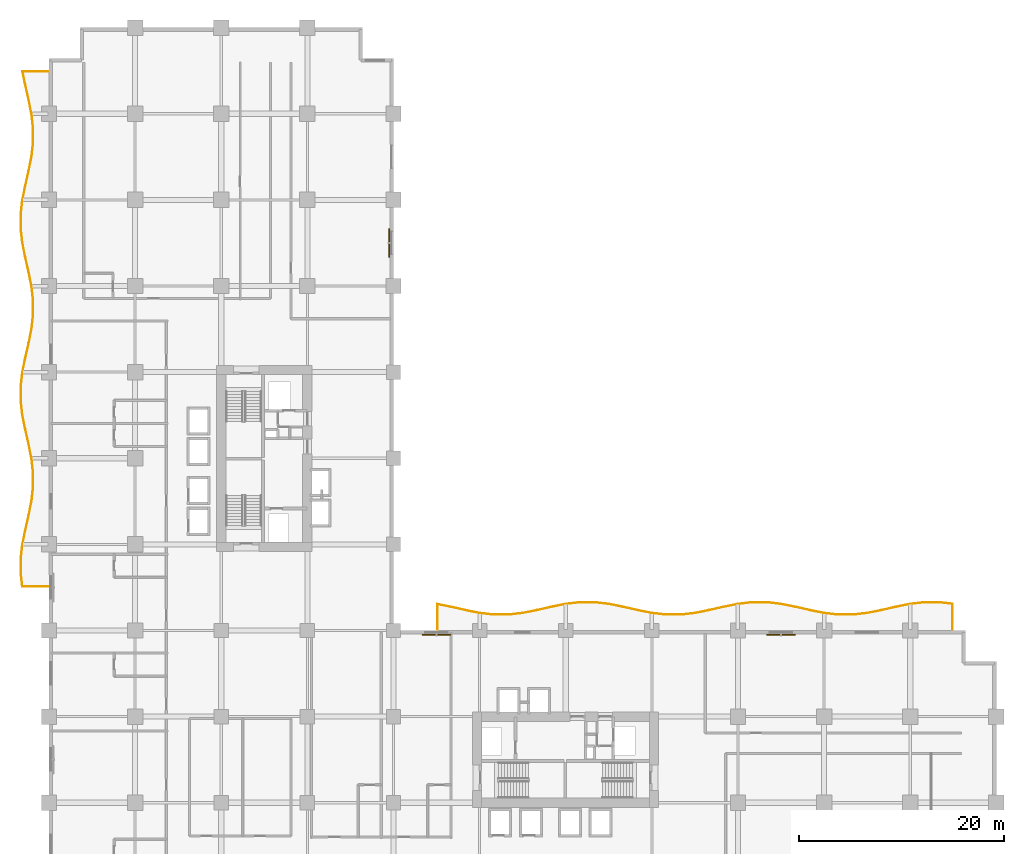
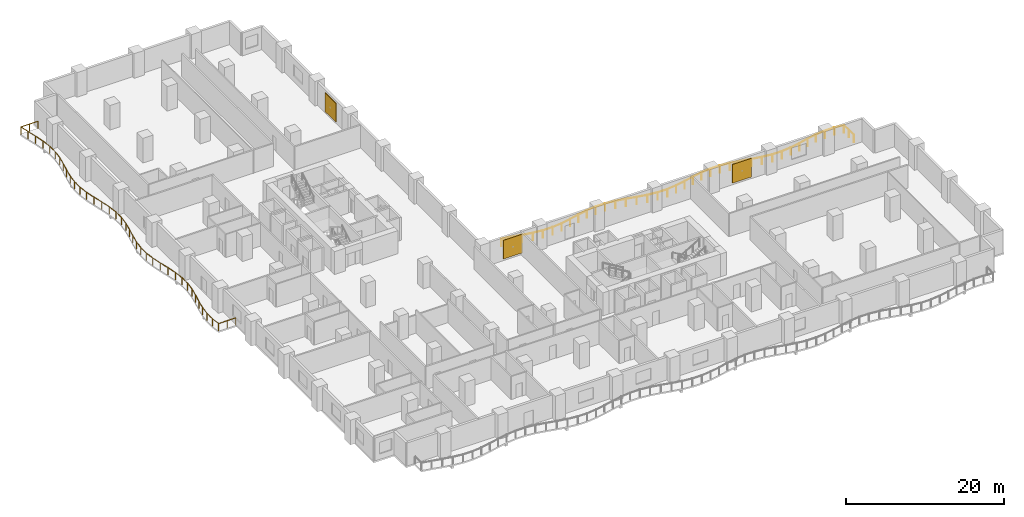
# One storey, part 20 of 20: 3 shading devices, 2 railings.
"""IFC4 building model written with IfcOpenShell, lengths in metres."""

import ifcopenshell
import ifcopenshell.guid

model = None  # the IFC model being written
_history = None  # IfcOwnerHistory: only IFC2X3 demands one
_inside = {}  # id of a spatial element -> (the spatial element, [elements in it])
_under = {}  # id of a project, library or spatial element -> (it, [spatial elements below it])
_declared = {}  # id of a project -> (the project, [libraries it declares])
_typed = {}  # id of a type object -> (the type object, [elements of that type])
_made_of = {}  # id of a material, layer set ... -> (it, [elements and type objects made of it])


def new_model(schema):
    """Start an empty IFC model of exactly this schema.

    Asked for "IFC4X3", IfcOpenShell would pick the latest addendum, in which some entities
    have other attributes; the version numbers below select the first issue.
    IFC2X3 requires an IfcOwnerHistory on every rooted entity: one is made here for all.
    """
    global model, _history
    if schema == "IFC4X3":
        model = ifcopenshell.file(schema_version=(4, 3, 0, 0))
    else:
        model = ifcopenshell.file(schema=schema)
    _inside.clear()
    _under.clear()
    _declared.clear()
    _typed.clear()
    _made_of.clear()
    _history = None
    if model.schema == "IFC2X3":
        org = make("IfcOrganization", Name="unknown")
        user = make(
            "IfcPersonAndOrganization",
            ThePerson=make("IfcPerson", FamilyName="unknown"),
            TheOrganization=org,
        )
        app = make(
            "IfcApplication",
            ApplicationDeveloper=org,
            Version="unknown",
            ApplicationFullName="unknown",
            ApplicationIdentifier="unknown",
        )
        _history = make(
            "IfcOwnerHistory",
            OwningUser=user,
            OwningApplication=app,
            ChangeAction="ADDED",
            CreationDate=0,
        )
    return model


def make(cls, **values):
    """One entity of the class cls with the attributes given. An attribute that is None is left unset."""
    return model.create_entity(
        cls, **{name: value for name, value in values.items() if value is not None}
    )


def rooted(cls, **values):
    """An entity with a GlobalId (a new one), such as an element, a storey or a relation."""
    return make(cls, GlobalId=ifcopenshell.guid.new(), OwnerHistory=_history, **values)


def si_unit(unit_type, name, prefix=None):
    """IfcSIUnit, for example si_unit("LENGTHUNIT", "METRE", prefix="MILLI")."""
    return make("IfcSIUnit", UnitType=unit_type, Prefix=prefix, Name=name)


def assignment(units):
    """IfcUnitAssignment: the units of a project."""
    return None if units is None else make("IfcUnitAssignment", Units=units)


def point(xyz):
    """IfcCartesianPoint."""
    return None if xyz is None else make("IfcCartesianPoint", Coordinates=xyz)


def direction(xyz):
    """IfcDirection."""
    return None if xyz is None else make("IfcDirection", DirectionRatios=xyz)


def frame(location, z_axis=None, x_axis=None):
    """IfcAxis2Placement3D, a coordinate frame: its origin and axes. An axis left out is left unset."""
    return make(
        "IfcAxis2Placement3D",
        Location=point(location),
        Axis=direction(z_axis),
        RefDirection=direction(x_axis),
    )


def frame_2d(location, x_axis=None):
    """IfcAxis2Placement2D, a coordinate frame in the plane: its origin and x axis."""
    return make(
        "IfcAxis2Placement2D", Location=point(location), RefDirection=direction(x_axis)
    )


def origin():
    """The frame at (0, 0, 0) with its axes left unset."""
    return frame((0.0, 0.0, 0.0))


def origin_2d():
    """The frame at (0, 0) in the plane with its x axis left unset."""
    return frame_2d((0.0, 0.0))


def place(relative_to, where):
    """IfcLocalPlacement: puts the frame where relative to a parent placement (None: the world)."""
    return make(
        "IfcLocalPlacement", PlacementRelTo=relative_to, RelativePlacement=where
    )


def context(
    kind, dimensions, precision=None, world=None, true_north=None, identifier=None
):
    """IfcGeometricRepresentationContext, for example the 3D "Model" context."""
    return make(
        "IfcGeometricRepresentationContext",
        ContextIdentifier=identifier,
        ContextType=kind,
        CoordinateSpaceDimension=dimensions,
        Precision=precision,
        WorldCoordinateSystem=world,
        TrueNorth=true_north,
    )


def subcontext(parent, identifier, kind, view, scale=None):
    """IfcGeometricRepresentationSubContext, for example "Body" below "Model"."""
    return make(
        "IfcGeometricRepresentationSubContext",
        ContextIdentifier=identifier,
        ContextType=kind,
        ParentContext=parent,
        TargetScale=scale,
        TargetView=view,
    )


def project(units=None, contexts=None):
    """IfcProject with its units and contexts."""
    return rooted(
        "IfcProject",
        Name="project",
        RepresentationContexts=contexts,
        UnitsInContext=assignment(units),
    )


def spatial(cls, under=None, at=None, **own):
    """A site, building, storey or space (cls), placed at a placement, below another one or the project."""
    s = rooted(cls, ObjectPlacement=at, **own)
    if under is not None:
        _under.setdefault(under.id(), (under, []))[1].append(s)
    return s


def profile(cls, at=None, kind="AREA", **sizes):
    """A parametric profile (cls). Its sizes go by their IFC names, for example OverallWidth=200.0."""
    return make(cls, ProfileType=kind, Position=at, **sizes)


def rectangle(**sizes):
    """IfcRectangleProfileDef."""
    return profile("IfcRectangleProfileDef", **sizes)


def circle(**sizes):
    """IfcCircleProfileDef."""
    return profile("IfcCircleProfileDef", **sizes)


def extrude(swept, where, along, depth):
    """IfcExtrudedAreaSolid: the profile swept, set in the frame where, extruded along a direction by depth."""
    return make(
        "IfcExtrudedAreaSolid",
        SweptArea=swept,
        Position=where,
        ExtrudedDirection=direction(along),
        Depth=depth,
    )


def shape(context_of_items, identifier, shape_type, items):
    """IfcShapeRepresentation: the items that make up one representation, for example the "Body"."""
    return make(
        "IfcShapeRepresentation",
        ContextOfItems=context_of_items,
        RepresentationIdentifier=identifier,
        RepresentationType=shape_type,
        Items=items,
    )


def material(Name=None, Category=None):
    """IfcMaterial."""
    return make("IfcMaterial", Name=Name, Category=Category)


def layer(
    of_material, thickness, ventilated=None, Name=None, Category=None, Priority=None
):
    """IfcMaterialLayer: one layer of a wall or slab, of a material (None: an air gap)."""
    return make(
        "IfcMaterialLayer",
        Material=of_material,
        LayerThickness=thickness,
        IsVentilated=ventilated,
        Name=Name,
        Category=Category,
        Priority=Priority,
    )


def layer_set(layers, Name=None):
    """IfcMaterialLayerSet."""
    return make("IfcMaterialLayerSet", MaterialLayers=layers, LayerSetName=Name)


def made_of(thing, what):
    """Note that an element or type object is made of a material, layer set ...; save() writes the relation."""
    if what is not None:
        _made_of.setdefault(what.id(), (what, []))[1].append(thing)
    return thing


def type_object(cls, material=None, **own):
    """A type object (cls), such as IfcWallType, which elements share."""
    return made_of(rooted(cls, **own), material)


def element(
    cls,
    number,
    at=None,
    inside=None,
    cuts=None,
    type_object=None,
    material=None,
    context=None,
    identifier="Body",
    shape_type=None,
    held_by="IfcProductDefinitionShape",
    body=None,
    shapes=None,
    **own,
):
    """One element of the class cls, such as IfcWall. Its Tag is "e" and its number.

    at: its placement. inside: the storey or other place that contains it. cuts: it is an
    opening in that element (IfcRelVoidsElement). A single representation is given by context,
    identifier, shape_type and body (its items); several are given by shapes. held_by: the class
    of the entity that holds the representations. save() writes the other relations.
    """
    e = rooted(cls, Tag="e%d" % number, ObjectPlacement=at, **own)
    if body is not None:
        shapes = [shape(context, identifier, shape_type, body)]
    if shapes is not None:
        e.Representation = make(held_by, Representations=shapes)
    if inside is not None:
        _inside.setdefault(inside.id(), (inside, []))[1].append(e)
    if cuts is not None:
        rooted(
            "IfcRelVoidsElement", RelatingBuildingElement=cuts, RelatedOpeningElement=e
        )
    if type_object is not None:
        _typed.setdefault(type_object.id(), (type_object, []))[1].append(e)
    return made_of(e, material)


def aggregate(whole, parts):
    """IfcRelAggregates: a whole, such as a stair, and the parts it consists of."""
    return rooted("IfcRelAggregates", RelatingObject=whole, RelatedObjects=parts)


def save(model, path):
    """Write the relations noted so far, then the file.

    IfcRelAggregates (storeys below a building ...), IfcRelContainedInSpatialStructure (elements
    in a storey), IfcRelDefinesByType, IfcRelAssociatesMaterial and IfcRelDeclares: one each for
    every whole, place, type object, material and project.
    """
    for whole, parts in _under.values():
        aggregate(whole, parts)
    for where, things in _inside.values():
        rooted(
            "IfcRelContainedInSpatialStructure",
            RelatedElements=things,
            RelatingStructure=where,
        )
    for kind, things in _typed.values():
        rooted("IfcRelDefinesByType", RelatedObjects=things, RelatingType=kind)
    for what, things in _made_of.values():
        rooted("IfcRelAssociatesMaterial", RelatedObjects=things, RelatingMaterial=what)
    for by, libraries in _declared.values():
        rooted("IfcRelDeclares", RelatingContext=by, RelatedDefinitions=libraries)
    model.write(path)


model = new_model("IFC4")

# Units and contexts
model_context = context("Model", 3, precision=1e-05, world=origin(), true_north=direction((0.0, 1.0)))
body_context = subcontext(model_context, "Body", "Model", "MODEL_VIEW")
ifc_project = project(units=[si_unit("LENGTHUNIT", "METRE"), si_unit("AREAUNIT", "SQUARE_METRE"), si_unit("VOLUMEUNIT", "CUBIC_METRE"), si_unit("PLANEANGLEUNIT", "RADIAN"), si_unit("MASSUNIT", "GRAM", prefix="KILO")], contexts=[model_context])

# Site, building, storey
site_placement = place(None, origin())
site = spatial("IfcSite", under=ifc_project, at=site_placement, CompositionType="ELEMENT")
building_placement = place(site_placement, origin())
building = spatial("IfcBuilding", under=site, at=building_placement, Name="Koriwani Terraces Tower", CompositionType="ELEMENT")
storey_placement = place(building_placement, frame((0.0, 0.0, 73.800048828125)))
storey = spatial("IfcBuildingStorey", under=building, at=storey_placement, Name="L17", CompositionType="ELEMENT", Elevation=73.800048828125)

# Railings
ifc_material_1 = material(Name="Steel ASTM A572 Grade 50", Category="steel")
railing_type = type_object("IfcRailingType", Name="GUARD_BALUSTRADE_1150", PredefinedType="BALUSTRADE", material=ifc_material_1)
railing_1_placement = place(storey_placement, frame((-0.080078125, 37.8798828125, 0.0)))
element("IfcRailing", 1, at=railing_1_placement, inside=storey, type_object=railing_type, Name="L17 Balcony Perimeter Safety Balustrade (W)", PredefinedType="BALUSTRADE", context=body_context, shape_type="SweptSolid", body=[
    extrude(circle(Radius=0.02392578125, at=origin_2d()), frame((0.0, 0.0, 1.1259765625), z_axis=(-1.0, 0.0, 0.0), x_axis=(0.0, -1.0, 0.0)), (0.0, 0.0, 1.0), 2.515625),
    extrude(circle(Radius=0.02392578125, at=origin_2d()), frame((-2.515625, 0.0, 1.1259765625), z_axis=(-0.114790882492, 0.993389678473, 0.0), x_axis=(-0.993389678473, -0.114790882492, 0.0)), (0.0, 0.0, 1.0), 1.33349609375),
    extrude(circle(Radius=0.02392578125, at=origin_2d()), frame((-2.668701171875, 1.32470703125, 1.1259765625), z_axis=(0.0, 1.0, 0.0), x_axis=(-1.0, 0.0, 0.0)), (0.0, 0.0, 1.0), 1.390869140625),
    extrude(circle(Radius=0.02392578125, at=origin_2d()), frame((-2.668701171875, 2.715576171875, 1.1259765625), z_axis=(0.114809259658, 0.993387554732, 0.0), x_axis=(-0.993387554732, 0.114809259658, 0.0)), (0.0, 0.0, 1.0), 1.4013671875),
    extrude(circle(Radius=0.02392578125, at=origin_2d()), frame((-2.5078125, 4.107666015625, 1.1259765625), z_axis=(0.196248091466, 0.980554275191, 0.0), x_axis=(-0.980554275191, 0.196248091466, 0.0)), (0.0, 0.0, 1.0), 1.423095703125),
    extrude(circle(Radius=0.02392578125, at=origin_2d()), frame((-2.228515625, 5.503173828125, 1.1259765625), z_axis=(0.225107657095, 0.974333896935, 0.0), x_axis=(-0.974333896935, 0.225107657095, 0.0)), (0.0, 0.0, 1.0), 1.43701171875),
    extrude(circle(Radius=0.02392578125, at=origin_2d()), frame((-1.905029296875, 6.9033203125, 1.1259765625), z_axis=(0.19621448399, 0.980561000791, 0.0), x_axis=(-0.980561000791, 0.19621448399, 0.0)), (0.0, 0.0, 1.0), 1.43212890625),
    extrude(circle(Radius=0.02392578125, at=origin_2d()), frame((-1.6240234375, 8.3076171875, 1.1259765625), z_axis=(0.114722179915, 0.993397614974, 0.0), x_axis=(-0.993397614974, 0.114722179915, 0.0)), (0.0, 0.0, 1.0), 1.417236328125),
    extrude(circle(Radius=0.02392578125, at=origin_2d()), frame((-1.46142578125, 9.715576171875, 1.1259765625), z_axis=(0.0, 1.0, 0.0), x_axis=(-1.0, 0.0, 0.0)), (0.0, 0.0, 1.0), 1.4091796875),
    extrude(circle(Radius=0.02392578125, at=origin_2d()), frame((-1.46142578125, 11.124755859375, 1.1259765625), z_axis=(-0.114741814309, 0.993395347306, 0.0), x_axis=(-0.993395347306, -0.114741814309, 0.0)), (0.0, 0.0, 1.0), 1.4169921875),
    extrude(circle(Radius=0.02392578125, at=origin_2d()), frame((-1.6240234375, 12.532470703125, 1.1259765625), z_axis=(-0.196181690301, 0.980567562379, 0.0), x_axis=(-0.980567562379, -0.196181690301, 0.0)), (0.0, 0.0, 1.0), 1.432373046875),
    extrude(circle(Radius=0.02392578125, at=origin_2d()), frame((-1.905029296875, 13.93701171875, 1.1259765625), z_axis=(-0.225144925641, 0.974325285753, 0.0), x_axis=(-0.974325285753, -0.225144925641, 0.0)), (0.0, 0.0, 1.0), 1.436767578125),
    extrude(circle(Radius=0.02392578125, at=origin_2d()), frame((-2.228515625, 15.3369140625, 1.1259765625), z_axis=(-0.196215086073, 0.980560880312, 0.0), x_axis=(-0.980560880312, -0.196215086073, 0.0)), (0.0, 0.0, 1.0), 1.42333984375),
    extrude(circle(Radius=0.02392578125, at=origin_2d()), frame((-2.5078125, 16.732666015625, 1.1259765625), z_axis=(-0.114809259658, 0.993387554732, 0.0), x_axis=(-0.993387554732, -0.114809259658, 0.0)), (0.0, 0.0, 1.0), 1.4013671875),
    extrude(circle(Radius=0.02392578125, at=origin_2d()), frame((-2.668701171875, 18.124755859375, 1.1259765625), z_axis=(0.0, 1.0, 0.0), x_axis=(-1.0, 0.0, 0.0)), (0.0, 0.0, 1.0), 1.390869140625),
    extrude(circle(Radius=0.02392578125, at=origin_2d()), frame((-2.668701171875, 19.515625, 1.1259765625), z_axis=(0.114809259658, 0.993387554732, 0.0), x_axis=(-0.993387554732, 0.114809259658, 0.0)), (0.0, 0.0, 1.0), 1.4013671875),
    extrude(circle(Radius=0.02392578125, at=origin_2d()), frame((-2.5078125, 20.90771484375, 1.1259765625), z_axis=(0.196248091466, 0.980554275191, 0.0), x_axis=(-0.980554275191, 0.196248091466, 0.0)), (0.0, 0.0, 1.0), 1.423095703125),
    extrude(circle(Radius=0.02392578125, at=origin_2d()), frame((-2.228515625, 22.30322265625, 1.1259765625), z_axis=(0.225144925641, 0.974325285753, 0.0), x_axis=(-0.974325285753, 0.225144925641, 0.0)), (0.0, 0.0, 1.0), 1.436767578125),
    extrude(circle(Radius=0.02392578125, at=origin_2d()), frame((-1.905029296875, 23.703125, 1.1259765625), z_axis=(0.196181690301, 0.980567562379, 0.0), x_axis=(-0.980567562379, 0.196181690301, 0.0)), (0.0, 0.0, 1.0), 1.432373046875),
    extrude(circle(Radius=0.02392578125, at=origin_2d()), frame((-1.6240234375, 25.107666015625, 1.1259765625), z_axis=(0.114722179915, 0.993397614974, 0.0), x_axis=(-0.993397614974, 0.114722179915, 0.0)), (0.0, 0.0, 1.0), 1.417236328125),
    extrude(circle(Radius=0.02392578125, at=origin_2d()), frame((-1.46142578125, 26.515625, 1.1259765625), z_axis=(0.0, 1.0, 0.0), x_axis=(-1.0, 0.0, 0.0)), (0.0, 0.0, 1.0), 1.4091796875),
    extrude(circle(Radius=0.02392578125, at=origin_2d()), frame((-1.46142578125, 27.9248046875, 1.1259765625), z_axis=(-0.114741814309, 0.993395347306, 0.0), x_axis=(-0.993395347306, -0.114741814309, 0.0)), (0.0, 0.0, 1.0), 1.4169921875),
    extrude(circle(Radius=0.02392578125, at=origin_2d()), frame((-1.6240234375, 29.33251953125, 1.1259765625), z_axis=(-0.196181690301, 0.980567562379, 0.0), x_axis=(-0.980567562379, -0.196181690301, 0.0)), (0.0, 0.0, 1.0), 1.432373046875),
    extrude(circle(Radius=0.02392578125, at=origin_2d()), frame((-1.905029296875, 30.737060546875, 1.1259765625), z_axis=(-0.225144925641, 0.974325285753, 0.0), x_axis=(-0.974325285753, -0.225144925641, 0.0)), (0.0, 0.0, 1.0), 1.436767578125),
    extrude(circle(Radius=0.02392578125, at=origin_2d()), frame((-2.228515625, 32.136962890625, 1.1259765625), z_axis=(-0.196215086073, 0.980560880312, 0.0), x_axis=(-0.980560880312, -0.196215086073, 0.0)), (0.0, 0.0, 1.0), 1.42333984375),
    extrude(circle(Radius=0.02392578125, at=origin_2d()), frame((-2.5078125, 33.53271484375, 1.1259765625), z_axis=(-0.114809259658, 0.993387554732, 0.0), x_axis=(-0.993387554732, -0.114809259658, 0.0)), (0.0, 0.0, 1.0), 1.4013671875),
    extrude(circle(Radius=0.02392578125, at=origin_2d()), frame((-2.668701171875, 34.9248046875, 1.1259765625), z_axis=(0.0, 1.0, 0.0), x_axis=(-1.0, 0.0, 0.0)), (0.0, 0.0, 1.0), 1.390625),
    extrude(circle(Radius=0.02392578125, at=origin_2d()), frame((-2.668701171875, 36.3154296875, 1.1259765625), z_axis=(0.114809259658, 0.993387554732, 0.0), x_axis=(-0.993387554732, 0.114809259658, 0.0)), (0.0, 0.0, 1.0), 1.4013671875),
    extrude(circle(Radius=0.02392578125, at=origin_2d()), frame((-2.5078125, 37.70751953125, 1.1259765625), z_axis=(0.196215086073, 0.980560880312, 0.0), x_axis=(-0.980560880312, 0.196215086073, 0.0)), (0.0, 0.0, 1.0), 1.42333984375),
    extrude(circle(Radius=0.02392578125, at=origin_2d()), frame((-2.228515625, 39.103271484375, 1.1259765625), z_axis=(0.225144925641, 0.974325285753, 0.0), x_axis=(-0.974325285753, 0.225144925641, 0.0)), (0.0, 0.0, 1.0), 1.436767578125),
    extrude(circle(Radius=0.02392578125, at=origin_2d()), frame((-1.905029296875, 40.503173828125, 1.1259765625), z_axis=(0.196181690301, 0.980567562379, 0.0), x_axis=(-0.980567562379, 0.196181690301, 0.0)), (0.0, 0.0, 1.0), 1.432373046875),
    extrude(circle(Radius=0.02392578125, at=origin_2d()), frame((-1.6240234375, 41.90771484375, 1.1259765625), z_axis=(0.114741814309, 0.993395347306, 0.0), x_axis=(-0.993395347306, 0.114741814309, 0.0)), (0.0, 0.0, 1.0), 1.4169921875),
    extrude(circle(Radius=0.02392578125, at=origin_2d()), frame((-1.46142578125, 43.3154296875, 1.1259765625), z_axis=(0.0, 1.0, 0.0), x_axis=(-1.0, 0.0, 0.0)), (0.0, 0.0, 1.0), 1.4091796875),
    extrude(circle(Radius=0.02392578125, at=origin_2d()), frame((-1.46142578125, 44.724609375, 1.1259765625), z_axis=(-0.114722179915, 0.993397614974, 0.0), x_axis=(-0.993397614974, -0.114722179915, 0.0)), (0.0, 0.0, 1.0), 1.417236328125),
    extrude(circle(Radius=0.02392578125, at=origin_2d()), frame((-1.6240234375, 46.132568359375, 1.1259765625), z_axis=(-0.196181690301, 0.980567562379, 0.0), x_axis=(-0.980567562379, -0.196181690301, 0.0)), (0.0, 0.0, 1.0), 1.432373046875),
    extrude(circle(Radius=0.02392578125, at=origin_2d()), frame((-1.905029296875, 47.537109375, 1.1259765625), z_axis=(-0.225144925641, 0.974325285753, 0.0), x_axis=(-0.974325285753, -0.225144925641, 0.0)), (0.0, 0.0, 1.0), 1.436767578125),
    extrude(circle(Radius=0.02392578125, at=origin_2d()), frame((-2.228515625, 48.93701171875, 1.1259765625), z_axis=(-0.196186786742, 0.980566542723, 0.0), x_axis=(-0.980566542723, -0.196186786742, 0.0)), (0.0, 0.0, 1.0), 1.3291015625),
    extrude(circle(Radius=0.02392578125, at=origin_2d()), frame((-2.4892578125, 50.240234375, 1.1259765625), z_axis=(1.0, 0.0, 0.0), x_axis=(0.0, 1.0, 0.0)), (0.0, 0.0, 1.0), 2.4892578125),
    extrude(circle(Radius=0.02099609375, at=origin_2d()), origin(), (0.0, 0.0, 1.0), 1.101806640625),
    extrude(circle(Radius=0.02099609375, at=origin_2d()), frame((-1.2578125, 0.0, 0.0)), (0.0, 0.0, 1.0), 1.101806640625),
    extrude(circle(Radius=0.02099609375, at=origin_2d()), frame((-2.515625, 0.0, 0.0)), (0.0, 0.0, 1.0), 1.101806640625),
    extrude(circle(Radius=0.02099609375, at=origin_2d()), frame((-2.668701171875, 1.32470703125, 0.0)), (0.0, 0.0, 1.0), 1.101806640625),
    extrude(circle(Radius=0.02099609375, at=origin_2d()), frame((-2.668701171875, 2.715576171875, 0.0)), (0.0, 0.0, 1.0), 1.101806640625),
    extrude(circle(Radius=0.02099609375, at=origin_2d()), frame((-2.5078125, 4.107666015625, 0.0)), (0.0, 0.0, 1.0), 1.101806640625),
    extrude(circle(Radius=0.02099609375, at=origin_2d()), frame((-2.228515625, 5.503173828125, 0.0)), (0.0, 0.0, 1.0), 1.101806640625),
    extrude(circle(Radius=0.02099609375, at=origin_2d()), frame((-1.905029296875, 6.9033203125, 0.0)), (0.0, 0.0, 1.0), 1.101806640625),
    extrude(circle(Radius=0.02099609375, at=origin_2d()), frame((-1.6240234375, 8.3076171875, 0.0)), (0.0, 0.0, 1.0), 1.101806640625),
    extrude(circle(Radius=0.02099609375, at=origin_2d()), frame((-1.46142578125, 9.715576171875, 0.0)), (0.0, 0.0, 1.0), 1.101806640625),
    extrude(circle(Radius=0.02099609375, at=origin_2d()), frame((-1.46142578125, 11.124755859375, 0.0)), (0.0, 0.0, 1.0), 1.101806640625),
    extrude(circle(Radius=0.02099609375, at=origin_2d()), frame((-1.6240234375, 12.532470703125, 0.0)), (0.0, 0.0, 1.0), 1.101806640625),
    extrude(circle(Radius=0.02099609375, at=origin_2d()), frame((-1.905029296875, 13.93701171875, 0.0)), (0.0, 0.0, 1.0), 1.101806640625),
    extrude(circle(Radius=0.02099609375, at=origin_2d()), frame((-2.228515625, 15.3369140625, 0.0)), (0.0, 0.0, 1.0), 1.101806640625),
    extrude(circle(Radius=0.02099609375, at=origin_2d()), frame((-2.5078125, 16.732666015625, 0.0)), (0.0, 0.0, 1.0), 1.101806640625),
    extrude(circle(Radius=0.02099609375, at=origin_2d()), frame((-2.668701171875, 18.124755859375, 0.0)), (0.0, 0.0, 1.0), 1.101806640625),
    extrude(circle(Radius=0.02099609375, at=origin_2d()), frame((-2.668701171875, 19.515625, 0.0)), (0.0, 0.0, 1.0), 1.101806640625),
    extrude(circle(Radius=0.02099609375, at=origin_2d()), frame((-2.5078125, 20.90771484375, 0.0)), (0.0, 0.0, 1.0), 1.101806640625),
    extrude(circle(Radius=0.02099609375, at=origin_2d()), frame((-2.228515625, 22.30322265625, 0.0)), (0.0, 0.0, 1.0), 1.101806640625),
    extrude(circle(Radius=0.02099609375, at=origin_2d()), frame((-1.905029296875, 23.703125, 0.0)), (0.0, 0.0, 1.0), 1.101806640625),
    extrude(circle(Radius=0.02099609375, at=origin_2d()), frame((-1.6240234375, 25.107666015625, 0.0)), (0.0, 0.0, 1.0), 1.101806640625),
    extrude(circle(Radius=0.02099609375, at=origin_2d()), frame((-1.46142578125, 26.515625, 0.0)), (0.0, 0.0, 1.0), 1.101806640625),
    extrude(circle(Radius=0.02099609375, at=origin_2d()), frame((-1.46142578125, 27.9248046875, 0.0)), (0.0, 0.0, 1.0), 1.101806640625),
    extrude(circle(Radius=0.02099609375, at=origin_2d()), frame((-1.6240234375, 29.33251953125, 0.0)), (0.0, 0.0, 1.0), 1.101806640625),
    extrude(circle(Radius=0.02099609375, at=origin_2d()), frame((-1.905029296875, 30.737060546875, 0.0)), (0.0, 0.0, 1.0), 1.101806640625),
    extrude(circle(Radius=0.02099609375, at=origin_2d()), frame((-2.228515625, 32.136962890625, 0.0)), (0.0, 0.0, 1.0), 1.101806640625),
    extrude(circle(Radius=0.02099609375, at=origin_2d()), frame((-2.5078125, 33.53271484375, 0.0)), (0.0, 0.0, 1.0), 1.101806640625),
    extrude(circle(Radius=0.02099609375, at=origin_2d()), frame((-2.668701171875, 34.9248046875, 0.0)), (0.0, 0.0, 1.0), 1.101806640625),
    extrude(circle(Radius=0.02099609375, at=origin_2d()), frame((-2.668701171875, 36.3154296875, 0.0)), (0.0, 0.0, 1.0), 1.101806640625),
    extrude(circle(Radius=0.02099609375, at=origin_2d()), frame((-2.5078125, 37.70751953125, 0.0)), (0.0, 0.0, 1.0), 1.101806640625),
    extrude(circle(Radius=0.02099609375, at=origin_2d()), frame((-2.228515625, 39.103271484375, 0.0)), (0.0, 0.0, 1.0), 1.101806640625),
    extrude(circle(Radius=0.02099609375, at=origin_2d()), frame((-1.905029296875, 40.503173828125, 0.0)), (0.0, 0.0, 1.0), 1.101806640625),
    extrude(circle(Radius=0.02099609375, at=origin_2d()), frame((-1.6240234375, 41.90771484375, 0.0)), (0.0, 0.0, 1.0), 1.101806640625),
    extrude(circle(Radius=0.02099609375, at=origin_2d()), frame((-1.46142578125, 43.3154296875, 0.0)), (0.0, 0.0, 1.0), 1.101806640625),
    extrude(circle(Radius=0.02099609375, at=origin_2d()), frame((-1.46142578125, 44.724609375, 0.0)), (0.0, 0.0, 1.0), 1.101806640625),
    extrude(circle(Radius=0.02099609375, at=origin_2d()), frame((-1.6240234375, 46.132568359375, 0.0)), (0.0, 0.0, 1.0), 1.101806640625),
    extrude(circle(Radius=0.02099609375, at=origin_2d()), frame((-1.905029296875, 47.537109375, 0.0)), (0.0, 0.0, 1.0), 1.101806640625),
    extrude(circle(Radius=0.02099609375, at=origin_2d()), frame((-2.228515625, 48.93701171875, 0.0)), (0.0, 0.0, 1.0), 1.101806640625),
    extrude(circle(Radius=0.02099609375, at=origin_2d()), frame((-2.4892578125, 50.240234375, 0.0)), (0.0, 0.0, 1.0), 1.101806640625),
    extrude(circle(Radius=0.02099609375, at=origin_2d()), frame((-1.24462890625, 50.240234375, 0.0)), (0.0, 0.0, 1.0), 1.101806640625),
    extrude(circle(Radius=0.02099609375, at=origin_2d()), frame((0.0, 50.240234375, 0.0)), (0.0, 0.0, 1.0), 1.101806640625),
])
railing_2_placement = place(storey_placement, frame((88.1201171875, 33.679931640625, 0.0)))
element("IfcRailing", 2, at=railing_2_placement, inside=storey, type_object=railing_type, Name="L17 Balcony Perimeter Safety Balustrade (NE)", PredefinedType="BALUSTRADE", context=body_context, shape_type="SweptSolid", body=[
    extrude(circle(Radius=0.02392578125, at=origin_2d()), frame((0.0, 0.0, 1.1259765625), z_axis=(0.0, 1.0, 0.0), x_axis=(-1.0, 0.0, 0.0)), (0.0, 0.0, 1.0), 2.515625),
    extrude(circle(Radius=0.02392578125, at=origin_2d()), frame((0.0, 2.515625, 1.1259765625), z_axis=(-0.993389678473, 0.114790882492, 0.0), x_axis=(-0.114790882492, -0.993389678473, 0.0)), (0.0, 0.0, 1.0), 1.33349609375),
    extrude(circle(Radius=0.02392578125, at=origin_2d()), frame((-1.32470703125, 2.668701171875, 1.1259765625), z_axis=(-1.0, 0.0, 0.0), x_axis=(0.0, -1.0, 0.0)), (0.0, 0.0, 1.0), 1.390869140625),
    extrude(circle(Radius=0.02392578125, at=origin_2d()), frame((-2.715576171875, 2.668701171875, 1.1259765625), z_axis=(-0.993387554732, -0.114809259658, 0.0), x_axis=(0.114809259658, -0.993387554732, 0.0)), (0.0, 0.0, 1.0), 1.4013671875),
    extrude(circle(Radius=0.02392578125, at=origin_2d()), frame((-4.107666015625, 2.5078125, 1.1259765625), z_axis=(-0.980587273263, -0.196083144391, 0.0), x_axis=(0.196083144391, -0.980587273263, 0.0)), (0.0, 0.0, 1.0), 1.423095703125),
    extrude(circle(Radius=0.02392578125, at=origin_2d()), frame((-5.503173828125, 2.228759765625, 1.1259765625), z_axis=(-0.974296622472, -0.225268931368, 0.0), x_axis=(0.225268931368, -0.974296622472, 0.0)), (0.0, 0.0, 1.0), 1.43701171875),
    extrude(circle(Radius=0.02392578125, at=origin_2d()), frame((-6.9033203125, 1.905029296875, 1.1259765625), z_axis=(-0.980593787249, -0.196050565949, 0.0), x_axis=(0.196050565949, -0.980593787249, 0.0)), (0.0, 0.0, 1.0), 1.43212890625),
    extrude(circle(Radius=0.02392578125, at=origin_2d()), frame((-8.3076171875, 1.624267578125, 1.1259765625), z_axis=(-0.993397614974, -0.114722179915, 0.0), x_axis=(0.114722179915, -0.993397614974, 0.0)), (0.0, 0.0, 1.0), 1.417236328125),
    extrude(circle(Radius=0.02392578125, at=origin_2d()), frame((-9.715576171875, 1.461669921875, 1.1259765625), z_axis=(-1.0, 0.0, 0.0), x_axis=(0.0, -1.0, 0.0)), (0.0, 0.0, 1.0), 1.4091796875),
    extrude(circle(Radius=0.02392578125, at=origin_2d()), frame((-11.124755859375, 1.461669921875, 1.1259765625), z_axis=(-0.993395347306, 0.114741814309, 0.0), x_axis=(-0.114741814309, -0.993395347306, 0.0)), (0.0, 0.0, 1.0), 1.4169921875),
    extrude(circle(Radius=0.02392578125, at=origin_2d()), frame((-12.532470703125, 1.624267578125, 1.1259765625), z_axis=(-0.980600338098, 0.196017797464, 0.0), x_axis=(-0.196017797464, -0.980600338098, 0.0)), (0.0, 0.0, 1.0), 1.432373046875),
    extrude(circle(Radius=0.02392578125, at=origin_2d()), frame((-13.93701171875, 1.905029296875, 1.1259765625), z_axis=(-0.974287999277, 0.22530622376, 0.0), x_axis=(-0.22530622376, -0.974287999277, 0.0)), (0.0, 0.0, 1.0), 1.436767578125),
    extrude(circle(Radius=0.02392578125, at=origin_2d()), frame((-15.3369140625, 2.228759765625, 1.1259765625), z_axis=(-0.980593867507, 0.19605016452, 0.0), x_axis=(-0.19605016452, -0.980593867507, 0.0)), (0.0, 0.0, 1.0), 1.42333984375),
    extrude(circle(Radius=0.02392578125, at=origin_2d()), frame((-16.732666015625, 2.5078125, 1.1259765625), z_axis=(-0.993387554732, 0.114809259658, 0.0), x_axis=(-0.114809259658, -0.993387554732, 0.0)), (0.0, 0.0, 1.0), 1.4013671875),
    extrude(circle(Radius=0.02392578125, at=origin_2d()), frame((-18.124755859375, 2.668701171875, 1.1259765625), z_axis=(-1.0, 0.0, 0.0), x_axis=(0.0, -1.0, 0.0)), (0.0, 0.0, 1.0), 1.390869140625),
    extrude(circle(Radius=0.02392578125, at=origin_2d()), frame((-19.515625, 2.668701171875, 1.1259765625), z_axis=(-0.993387554732, -0.114809259658, 0.0), x_axis=(0.114809259658, -0.993387554732, 0.0)), (0.0, 0.0, 1.0), 1.4013671875),
    extrude(circle(Radius=0.02392578125, at=origin_2d()), frame((-20.90771484375, 2.5078125, 1.1259765625), z_axis=(-0.980587273263, -0.196083144391, 0.0), x_axis=(0.196083144391, -0.980587273263, 0.0)), (0.0, 0.0, 1.0), 1.423095703125),
    extrude(circle(Radius=0.02392578125, at=origin_2d()), frame((-22.30322265625, 2.228759765625, 1.1259765625), z_axis=(-0.974287999277, -0.22530622376, 0.0), x_axis=(0.22530622376, -0.974287999277, 0.0)), (0.0, 0.0, 1.0), 1.436767578125),
    extrude(circle(Radius=0.02392578125, at=origin_2d()), frame((-23.703125, 1.905029296875, 1.1259765625), z_axis=(-0.980600338098, -0.196017797464, 0.0), x_axis=(0.196017797464, -0.980600338098, 0.0)), (0.0, 0.0, 1.0), 1.432373046875),
    extrude(circle(Radius=0.02392578125, at=origin_2d()), frame((-25.107666015625, 1.624267578125, 1.1259765625), z_axis=(-0.993397614974, -0.114722179915, 0.0), x_axis=(0.114722179915, -0.993397614974, 0.0)), (0.0, 0.0, 1.0), 1.417236328125),
    extrude(circle(Radius=0.02392578125, at=origin_2d()), frame((-26.515625, 1.461669921875, 1.1259765625), z_axis=(-1.0, 0.0, 0.0), x_axis=(0.0, -1.0, 0.0)), (0.0, 0.0, 1.0), 1.4091796875),
    extrude(circle(Radius=0.02392578125, at=origin_2d()), frame((-27.9248046875, 1.461669921875, 1.1259765625), z_axis=(-0.993395347306, 0.114741814309, 0.0), x_axis=(-0.114741814309, -0.993395347306, 0.0)), (0.0, 0.0, 1.0), 1.4169921875),
    extrude(circle(Radius=0.02392578125, at=origin_2d()), frame((-29.33251953125, 1.624267578125, 1.1259765625), z_axis=(-0.980600338098, 0.196017797464, 0.0), x_axis=(-0.196017797464, -0.980600338098, 0.0)), (0.0, 0.0, 1.0), 1.432373046875),
    extrude(circle(Radius=0.02392578125, at=origin_2d()), frame((-30.737060546875, 1.905029296875, 1.1259765625), z_axis=(-0.974287999277, 0.22530622376, 0.0), x_axis=(-0.22530622376, -0.974287999277, 0.0)), (0.0, 0.0, 1.0), 1.436767578125),
    extrude(circle(Radius=0.02392578125, at=origin_2d()), frame((-32.136962890625, 2.228759765625, 1.1259765625), z_axis=(-0.980593867507, 0.19605016452, 0.0), x_axis=(-0.19605016452, -0.980593867507, 0.0)), (0.0, 0.0, 1.0), 1.42333984375),
    extrude(circle(Radius=0.02392578125, at=origin_2d()), frame((-33.53271484375, 2.5078125, 1.1259765625), z_axis=(-0.993387554732, 0.114809259658, 0.0), x_axis=(-0.114809259658, -0.993387554732, 0.0)), (0.0, 0.0, 1.0), 1.4013671875),
    extrude(circle(Radius=0.02392578125, at=origin_2d()), frame((-34.9248046875, 2.668701171875, 1.1259765625), z_axis=(-1.0, 0.0, 0.0), x_axis=(0.0, -1.0, 0.0)), (0.0, 0.0, 1.0), 1.390625),
    extrude(circle(Radius=0.02392578125, at=origin_2d()), frame((-36.3154296875, 2.668701171875, 1.1259765625), z_axis=(-0.993387554732, -0.114809259658, 0.0), x_axis=(0.114809259658, -0.993387554732, 0.0)), (0.0, 0.0, 1.0), 1.4013671875),
    extrude(circle(Radius=0.02392578125, at=origin_2d()), frame((-37.70751953125, 2.5078125, 1.1259765625), z_axis=(-0.980593867507, -0.19605016452, 0.0), x_axis=(0.19605016452, -0.980593867507, 0.0)), (0.0, 0.0, 1.0), 1.42333984375),
    extrude(circle(Radius=0.02392578125, at=origin_2d()), frame((-39.103271484375, 2.228759765625, 1.1259765625), z_axis=(-0.974287999277, -0.22530622376, 0.0), x_axis=(0.22530622376, -0.974287999277, 0.0)), (0.0, 0.0, 1.0), 1.436767578125),
    extrude(circle(Radius=0.02392578125, at=origin_2d()), frame((-40.503173828125, 1.905029296875, 1.1259765625), z_axis=(-0.980600338098, -0.196017797464, 0.0), x_axis=(0.196017797464, -0.980600338098, 0.0)), (0.0, 0.0, 1.0), 1.432373046875),
    extrude(circle(Radius=0.02392578125, at=origin_2d()), frame((-41.90771484375, 1.624267578125, 1.1259765625), z_axis=(-0.993395347306, -0.114741814309, 0.0), x_axis=(0.114741814309, -0.993395347306, 0.0)), (0.0, 0.0, 1.0), 1.4169921875),
    extrude(circle(Radius=0.02392578125, at=origin_2d()), frame((-43.3154296875, 1.461669921875, 1.1259765625), z_axis=(-1.0, 0.0, 0.0), x_axis=(0.0, -1.0, 0.0)), (0.0, 0.0, 1.0), 1.4091796875),
    extrude(circle(Radius=0.02392578125, at=origin_2d()), frame((-44.724609375, 1.461669921875, 1.1259765625), z_axis=(-0.993397614974, 0.114722179915, 0.0), x_axis=(-0.114722179915, -0.993397614974, 0.0)), (0.0, 0.0, 1.0), 1.417236328125),
    extrude(circle(Radius=0.02392578125, at=origin_2d()), frame((-46.132568359375, 1.624267578125, 1.1259765625), z_axis=(-0.980600338098, 0.196017797464, 0.0), x_axis=(-0.196017797464, -0.980600338098, 0.0)), (0.0, 0.0, 1.0), 1.432373046875),
    extrude(circle(Radius=0.02392578125, at=origin_2d()), frame((-47.537109375, 1.905029296875, 1.1259765625), z_axis=(-0.974287999277, 0.22530622376, 0.0), x_axis=(-0.22530622376, -0.974287999277, 0.0)), (0.0, 0.0, 1.0), 1.436767578125),
    extrude(circle(Radius=0.02392578125, at=origin_2d()), frame((-48.93701171875, 2.228759765625, 1.1259765625), z_axis=(-0.980601866361, 0.196010152006, 0.0), x_axis=(-0.196010152006, -0.980601866361, 0.0)), (0.0, 0.0, 1.0), 1.3291015625),
    extrude(circle(Radius=0.02392578125, at=origin_2d()), frame((-50.240234375, 2.4892578125, 1.1259765625), z_axis=(0.0, -1.0, 0.0), x_axis=(1.0, 0.0, 0.0)), (0.0, 0.0, 1.0), 2.4892578125),
    extrude(circle(Radius=0.02099609375, at=origin_2d()), origin(), (0.0, 0.0, 1.0), 1.101806640625),
    extrude(circle(Radius=0.02099609375, at=origin_2d()), frame((0.0, 1.2578125, 0.0)), (0.0, 0.0, 1.0), 1.101806640625),
    extrude(circle(Radius=0.02099609375, at=origin_2d()), frame((0.0, 2.515625, 0.0)), (0.0, 0.0, 1.0), 1.101806640625),
    extrude(circle(Radius=0.02099609375, at=origin_2d()), frame((-1.32470703125, 2.668701171875, 0.0)), (0.0, 0.0, 1.0), 1.101806640625),
    extrude(circle(Radius=0.02099609375, at=origin_2d()), frame((-2.715576171875, 2.668701171875, 0.0)), (0.0, 0.0, 1.0), 1.101806640625),
    extrude(circle(Radius=0.02099609375, at=origin_2d()), frame((-4.107666015625, 2.5078125, 0.0)), (0.0, 0.0, 1.0), 1.101806640625),
    extrude(circle(Radius=0.02099609375, at=origin_2d()), frame((-5.503173828125, 2.228759765625, 0.0)), (0.0, 0.0, 1.0), 1.101806640625),
    extrude(circle(Radius=0.02099609375, at=origin_2d()), frame((-6.9033203125, 1.905029296875, 0.0)), (0.0, 0.0, 1.0), 1.101806640625),
    extrude(circle(Radius=0.02099609375, at=origin_2d()), frame((-8.3076171875, 1.624267578125, 0.0)), (0.0, 0.0, 1.0), 1.101806640625),
    extrude(circle(Radius=0.02099609375, at=origin_2d()), frame((-9.715576171875, 1.461669921875, 0.0)), (0.0, 0.0, 1.0), 1.101806640625),
    extrude(circle(Radius=0.02099609375, at=origin_2d()), frame((-11.124755859375, 1.461669921875, 0.0)), (0.0, 0.0, 1.0), 1.101806640625),
    extrude(circle(Radius=0.02099609375, at=origin_2d()), frame((-12.532470703125, 1.624267578125, 0.0)), (0.0, 0.0, 1.0), 1.101806640625),
    extrude(circle(Radius=0.02099609375, at=origin_2d()), frame((-13.93701171875, 1.905029296875, 0.0)), (0.0, 0.0, 1.0), 1.101806640625),
    extrude(circle(Radius=0.02099609375, at=origin_2d()), frame((-15.3369140625, 2.228759765625, 0.0)), (0.0, 0.0, 1.0), 1.101806640625),
    extrude(circle(Radius=0.02099609375, at=origin_2d()), frame((-16.732666015625, 2.5078125, 0.0)), (0.0, 0.0, 1.0), 1.101806640625),
    extrude(circle(Radius=0.02099609375, at=origin_2d()), frame((-18.124755859375, 2.668701171875, 0.0)), (0.0, 0.0, 1.0), 1.101806640625),
    extrude(circle(Radius=0.02099609375, at=origin_2d()), frame((-19.515625, 2.668701171875, 0.0)), (0.0, 0.0, 1.0), 1.101806640625),
    extrude(circle(Radius=0.02099609375, at=origin_2d()), frame((-20.90771484375, 2.5078125, 0.0)), (0.0, 0.0, 1.0), 1.101806640625),
    extrude(circle(Radius=0.02099609375, at=origin_2d()), frame((-22.30322265625, 2.228759765625, 0.0)), (0.0, 0.0, 1.0), 1.101806640625),
    extrude(circle(Radius=0.02099609375, at=origin_2d()), frame((-23.703125, 1.905029296875, 0.0)), (0.0, 0.0, 1.0), 1.101806640625),
    extrude(circle(Radius=0.02099609375, at=origin_2d()), frame((-25.107666015625, 1.624267578125, 0.0)), (0.0, 0.0, 1.0), 1.101806640625),
    extrude(circle(Radius=0.02099609375, at=origin_2d()), frame((-26.515625, 1.461669921875, 0.0)), (0.0, 0.0, 1.0), 1.101806640625),
    extrude(circle(Radius=0.02099609375, at=origin_2d()), frame((-27.9248046875, 1.461669921875, 0.0)), (0.0, 0.0, 1.0), 1.101806640625),
    extrude(circle(Radius=0.02099609375, at=origin_2d()), frame((-29.33251953125, 1.624267578125, 0.0)), (0.0, 0.0, 1.0), 1.101806640625),
    extrude(circle(Radius=0.02099609375, at=origin_2d()), frame((-30.737060546875, 1.905029296875, 0.0)), (0.0, 0.0, 1.0), 1.101806640625),
    extrude(circle(Radius=0.02099609375, at=origin_2d()), frame((-32.136962890625, 2.228759765625, 0.0)), (0.0, 0.0, 1.0), 1.101806640625),
    extrude(circle(Radius=0.02099609375, at=origin_2d()), frame((-33.53271484375, 2.5078125, 0.0)), (0.0, 0.0, 1.0), 1.101806640625),
    extrude(circle(Radius=0.02099609375, at=origin_2d()), frame((-34.9248046875, 2.668701171875, 0.0)), (0.0, 0.0, 1.0), 1.101806640625),
    extrude(circle(Radius=0.02099609375, at=origin_2d()), frame((-36.3154296875, 2.668701171875, 0.0)), (0.0, 0.0, 1.0), 1.101806640625),
    extrude(circle(Radius=0.02099609375, at=origin_2d()), frame((-37.70751953125, 2.5078125, 0.0)), (0.0, 0.0, 1.0), 1.101806640625),
    extrude(circle(Radius=0.02099609375, at=origin_2d()), frame((-39.103271484375, 2.228759765625, 0.0)), (0.0, 0.0, 1.0), 1.101806640625),
    extrude(circle(Radius=0.02099609375, at=origin_2d()), frame((-40.503173828125, 1.905029296875, 0.0)), (0.0, 0.0, 1.0), 1.101806640625),
    extrude(circle(Radius=0.02099609375, at=origin_2d()), frame((-41.90771484375, 1.624267578125, 0.0)), (0.0, 0.0, 1.0), 1.101806640625),
    extrude(circle(Radius=0.02099609375, at=origin_2d()), frame((-43.3154296875, 1.461669921875, 0.0)), (0.0, 0.0, 1.0), 1.101806640625),
    extrude(circle(Radius=0.02099609375, at=origin_2d()), frame((-44.724609375, 1.461669921875, 0.0)), (0.0, 0.0, 1.0), 1.101806640625),
    extrude(circle(Radius=0.02099609375, at=origin_2d()), frame((-46.132568359375, 1.624267578125, 0.0)), (0.0, 0.0, 1.0), 1.101806640625),
    extrude(circle(Radius=0.02099609375, at=origin_2d()), frame((-47.537109375, 1.905029296875, 0.0)), (0.0, 0.0, 1.0), 1.101806640625),
    extrude(circle(Radius=0.02099609375, at=origin_2d()), frame((-48.93701171875, 2.228759765625, 0.0)), (0.0, 0.0, 1.0), 1.101806640625),
    extrude(circle(Radius=0.02099609375, at=origin_2d()), frame((-50.240234375, 2.4892578125, 0.0)), (0.0, 0.0, 1.0), 1.101806640625),
    extrude(circle(Radius=0.02099609375, at=origin_2d()), frame((-50.240234375, 1.24462890625, 0.0)), (0.0, 0.0, 1.0), 1.101806640625),
    extrude(circle(Radius=0.02099609375, at=origin_2d()), frame((-50.240234375, 0.0, 0.0)), (0.0, 0.0, 1.0), 1.101806640625),
])

# Shading devices
ifc_material_2 = material(Name="Extruded Terracotta Clay", Category="masonry")
ifc_layer = layer(ifc_material_2, 0.1201171875, Name="Extruded Terracotta Clay")
ifc_layer_set = layer_set([ifc_layer], Name="Extruded Terracotta Clay")
shading_device_type = type_object("IfcShadingDeviceType", Name="TERRACOTTA_BAGUETTE_SCREEN_2800", PredefinedType="USERDEFINED", material=ifc_layer_set)
for number, where, z_axis, x_axis, name in (
    (3, (33.195068359375, 71.39990234375, 0.324951171875), (0.0, 0.0, 1.0), (0.0, -1.0, 0.0), "L17 Extruded Terracotta Baguette Screen (NW_IN-14)"),
    (4, (37.800048828125, 33.195068359375, 0.324951171875), (0.0, 0.0, 1.0), (1.0, 0.0, 0.0), "L17 Extruded Terracotta Baguette Screen (NE-2)"),
    (5, (71.39990234375, 33.195068359375, 0.324951171875), (0.0, 0.0, 1.0), (1.0, 0.0, 0.0), "L17 Extruded Terracotta Baguette Screen (NE-14)"),
):
    element("IfcShadingDevice", number, at=place(storey_placement, frame(where, z_axis=z_axis, x_axis=x_axis)), inside=storey, type_object=shading_device_type, Name=name, ObjectType="BAGUETTE", PredefinedType="USERDEFINED", context=body_context, shape_type="SweptSolid", body=[
        extrude(rectangle(XDim=2.760009765625, YDim=0.1201171875, at=origin_2d()), origin(), (0.0, 0.0, 1.0), 2.89990234375),
    ])

save(model, "model.ifc")
